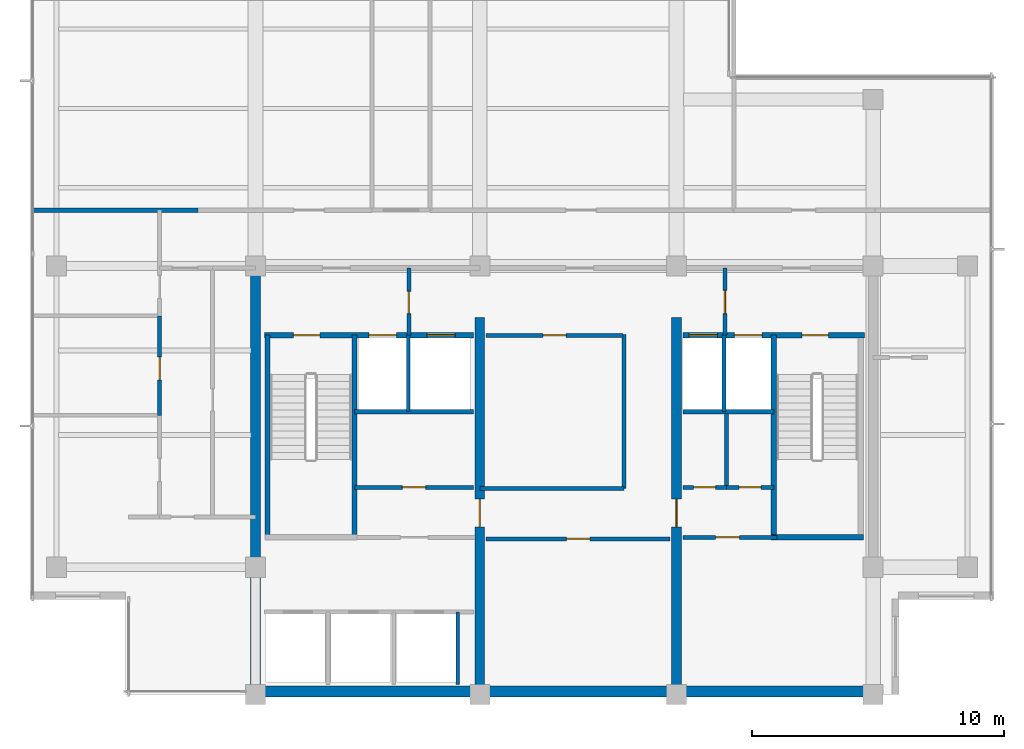
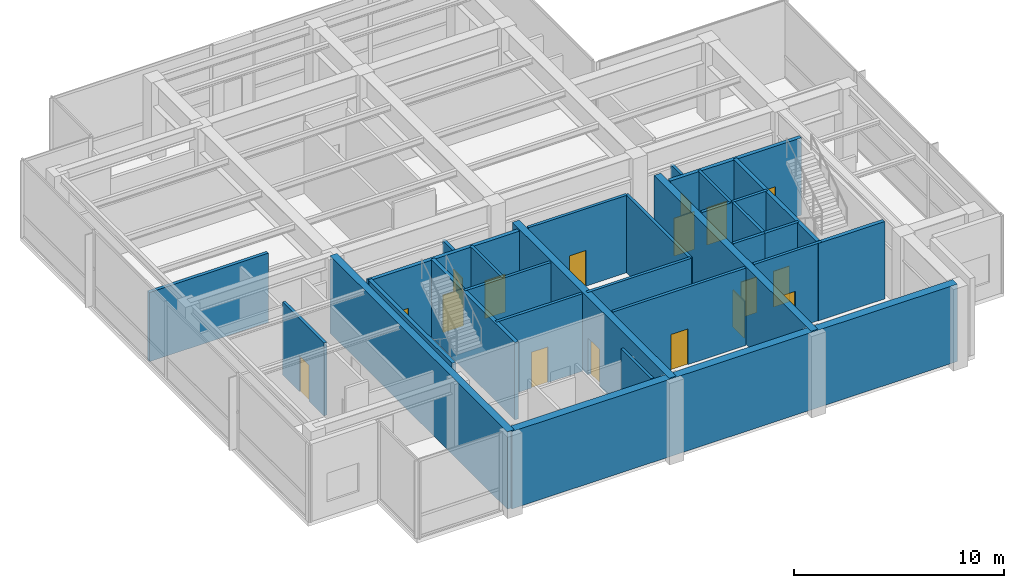
# One storey, part 6 of 11: 28 walls, 17 doors, 17 openings.
"""IFC4 building model written with IfcOpenShell, lengths in metres."""

from ifc_helpers import new_model, si_unit, direction, frame, frame_2d, origin, place, context, subcontext, project, spatial, rectangle, extrude, material, layer, layer_set, type_object, element, fill, save


model = new_model("IFC4")

# Units and contexts
model_context = context("Model", 3, precision=1e-05, world=origin(), true_north=direction((0.0, 1.0)))
body_context = subcontext(model_context, "Body", "Model", "MODEL_VIEW")
ifc_project = project(units=[si_unit("LENGTHUNIT", "METRE"), si_unit("AREAUNIT", "SQUARE_METRE"), si_unit("VOLUMEUNIT", "CUBIC_METRE"), si_unit("PLANEANGLEUNIT", "RADIAN"), si_unit("MASSUNIT", "GRAM", prefix="KILO")], contexts=[model_context])

# Site, building, storey
site_placement = place(None, origin())
site = spatial("IfcSite", under=ifc_project, at=site_placement, CompositionType="ELEMENT")
building_placement = place(site_placement, origin())
building = spatial("IfcBuilding", under=site, at=building_placement, Name="Qalmaran Belvedere Hotel", CompositionType="ELEMENT")
storey_placement = place(building_placement, frame((0.0, 0.0, 293.89990234375)))
storey = spatial("IfcBuildingStorey", under=building, at=storey_placement, Name="L76", CompositionType="ELEMENT", Elevation=293.89990234375)

# Wall
ifc_material_1 = material(Name="Concrete C50/60", Category="concrete")
ifc_layer_1 = layer(ifc_material_1, 0.3798828125, Name="Concrete C50/60")
ifc_layer_set_1 = layer_set([ifc_layer_1], Name="Concrete C50/60")
wall_type_1 = type_object("IfcWallType", Name="WL-CORE-380-C50", PredefinedType="SHEAR", material=ifc_layer_set_1)
wall_1_placement = place(storey_placement, frame((20.300048828125, 3.5, 0.0), z_axis=(0.0, 0.0, 1.0), x_axis=(0.0, 1.0, 0.0)))
element("IfcWall", 1, at=wall_1_placement, inside=storey, type_object=wall_type_1, Name="L76 West Core Shear Wall", PredefinedType="SHEAR", context=body_context, shape_type="SweptSolid", body=[
    extrude(rectangle(XDim=16.89990234375, YDim=0.3798828125, at=frame_2d((8.449951171875, 0.0))), origin(), (0.0, 0.0, 1.0), 4.5),
])

# Wall, opening, door
wall_2_placement = place(storey_placement, frame((29.199951171875, 3.5, 0.0), z_axis=(0.0, 0.0, 1.0), x_axis=(0.0, 1.0, 0.0)))
wall_2 = element("IfcWall", 2, at=wall_2_placement, inside=storey, type_object=wall_type_1, Name="L76 Core West Spine Shear Wall", PredefinedType="SHEAR", context=body_context, shape_type="SweptSolid", body=[
    extrude(rectangle(XDim=14.949951171875, YDim=0.3798828125, at=frame_2d((7.47509765625, 0.0))), origin(), (0.0, 0.0, 1.0), 4.5),
])
opening_1_placement = place(wall_2_placement, frame((7.75, 0.0, 0.0), z_axis=(0.0, 0.0, 1.0), x_axis=(-1.0, 0.0, 0.0)))
opening_1 = element("IfcOpeningElement", 3, at=opening_1_placement, cuts=wall_2, Name="Opening FD90", PredefinedType="OPENING", context=body_context, shape_type="SweptSolid", body=[
    extrude(rectangle(XDim=1.10009765625, YDim=2.14990234375, at=frame_2d((0.550048828125, 1.074951171875))), frame((0.0, 0.199951171875, 0.0), z_axis=(0.0, -1.0, 0.0), x_axis=(1.0, 0.0, 0.0)), (0.0, 0.0, 1.0), 0.39990234375),
])
ifc_material_2 = material(Name="Steel S355JR", Category="steel")
door_type_1 = type_object("IfcDoorType", Name="DR-FD90-1100X2150", OperationType="NOTDEFINED", PredefinedType="DOOR", material=ifc_material_2)
door_1_placement = place(opening_1_placement, origin())
door_1 = element("IfcDoor", 4, at=door_1_placement, inside=storey, type_object=door_type_1, Name="L76 Core West Cross-Lobby Door", OperationType="SINGLE_SWING_LEFT", OverallHeight=2.14990234375, OverallWidth=1.10009765625, PredefinedType="DOOR", context=body_context, shape_type="SweptSolid", body=[
    extrude(rectangle(XDim=1.10009765625, YDim=2.14990234375, at=frame_2d((0.550048828125, 1.074951171875))), frame((0.0, 0.02490234375, 0.0), z_axis=(0.0, -1.0, 0.0), x_axis=(1.0, 0.0, 0.0)), (0.0, 0.0, 1.0), 0.050048828125),
])
fill(opening_1, door_1)

wall_3_placement = place(storey_placement, frame((37.0, 3.5, 0.0), z_axis=(0.0, 0.0, 1.0), x_axis=(0.0, 1.0, 0.0)))
wall_3 = element("IfcWall", 5, at=wall_3_placement, inside=storey, type_object=wall_type_1, Name="L76 Core East Spine Shear Wall", PredefinedType="SHEAR", context=body_context, shape_type="SweptSolid", body=[
    extrude(rectangle(XDim=14.949951171875, YDim=0.3798828125, at=frame_2d((7.47509765625, 0.0))), origin(), (0.0, 0.0, 1.0), 4.5),
])
opening_2_placement = place(wall_3_placement, frame((6.64990234375, 0.0, 0.0)))
opening_2 = element("IfcOpeningElement", 6, at=opening_2_placement, cuts=wall_3, Name="Opening FD90", PredefinedType="OPENING", context=body_context, shape_type="SweptSolid", body=[
    extrude(rectangle(XDim=1.10009765625, YDim=2.14990234375, at=frame_2d((0.550048828125, 1.074951171875))), frame((0.0, 0.199951171875, 0.0), z_axis=(0.0, -1.0, 0.0), x_axis=(1.0, 0.0, 0.0)), (0.0, 0.0, 1.0), 0.39990234375),
])
door_2_placement = place(opening_2_placement, origin())
door_2 = element("IfcDoor", 7, at=door_2_placement, inside=storey, type_object=door_type_1, Name="L76 Core East Cross-Lobby Door", OperationType="SINGLE_SWING_RIGHT", OverallHeight=2.14990234375, OverallWidth=1.10009765625, PredefinedType="DOOR", context=body_context, shape_type="SweptSolid", body=[
    extrude(rectangle(XDim=1.10009765625, YDim=2.14990234375, at=frame_2d((0.550048828125, 1.074951171875))), frame((0.0, 0.02490234375, 0.0), z_axis=(0.0, -1.0, 0.0), x_axis=(1.0, 0.0, 0.0)), (0.0, 0.0, 1.0), 0.050048828125),
])
fill(opening_2, door_2)

# Walls
ifc_layer_2 = layer(ifc_material_1, 0.43994140625, Name="Concrete C50/60")
ifc_layer_set_2 = layer_set([ifc_layer_2], Name="Concrete C50/60")
wall_type_2 = type_object("IfcWallType", Name="WL-CORES-440-EXT", PredefinedType="SHEAR", material=ifc_layer_set_2)
wall_4_placement = place(storey_placement, frame((20.300048828125, 3.6298828125, 0.0), z_axis=(0.0, 0.0, 1.0), x_axis=(1.0, 0.0, 0.0)))
element("IfcWall", 8, at=wall_4_placement, inside=storey, type_object=wall_type_2, Name="L76 South Core Shear Wall", PredefinedType="SHEAR", context=body_context, shape_type="SweptSolid", body=[
    extrude(rectangle(XDim=24.5, YDim=0.43994140625, at=frame_2d((12.25, 0.0))), origin(), (0.0, 0.0, 1.0), 4.5),
])
ifc_material_3 = material(Name="Gypsum Stud Partition")
ifc_layer_3 = layer(ifc_material_3, 0.14990234375, Name="Gypsum Stud Partition")
ifc_layer_set_3 = layer_set([ifc_layer_3], Name="Gypsum Stud Partition")
wall_type_3 = type_object("IfcWallType", Name="WL-INT-150-EI120", PredefinedType="PARTITIONING", material=ifc_layer_set_3)
for number, where, z_axis, x_axis, name in (
    (9, (26.360107421875, 14.719970703125, 0.0), (0.0, 0.0, 1.0), (0.0, 1.0, 0.0), "L76 Partition WL-FF1M-L76"),
    (10, (38.8798828125, 14.719970703125, 0.0), (0.0, 0.0, 1.0), (0.0, 1.0, 0.0), "L76 Partition WL-FF2M-L76"),
):
    element("IfcWall", number, at=place(storey_placement, frame(where, z_axis=z_axis, x_axis=x_axis)), inside=storey, type_object=wall_type_3, Name=name, PredefinedType="PARTITIONING", context=body_context, shape_type="SweptSolid", body=[
        extrude(rectangle(XDim=3.0400390625, YDim=0.14990234375, at=frame_2d((1.52001953125, 0.0))), origin(), (0.0, 0.0, 1.0), 4.5),
    ])
wall_5_placement = place(storey_placement, frame((28.320068359375, 3.89990234375, 0.0), z_axis=(0.0, 0.0, 1.0), x_axis=(0.0, 1.0, 0.0)))
element("IfcWall", 11, at=wall_5_placement, inside=storey, type_object=wall_type_3, Name="L76 Partition WL-POM3-L76", PredefinedType="PARTITIONING", context=body_context, shape_type="SweptSolid", body=[
    extrude(rectangle(XDim=2.880126953125, YDim=0.14990234375, at=frame_2d((1.43994140625, 0.0))), origin(), (0.0, 0.0, 1.0), 4.5),
])
ifc_layer_4 = layer(ifc_material_3, 0.14990234375, Name="Gypsum Stud Partition")
ifc_layer_set_4 = layer_set([ifc_layer_4], Name="Gypsum Stud Partition")
wall_type_4 = type_object("IfcWallType", Name="WL-INT-150-EI60", PredefinedType="PARTITIONING", material=ifc_layer_set_4)
wall_6_placement = place(storey_placement, frame((38.98291015625, 11.719970703125, 0.0), z_axis=(0.0, 0.0, 1.0), x_axis=(0.0, 1.0, 0.0)))
element("IfcWall", 12, at=wall_6_placement, inside=storey, type_object=wall_type_4, Name="L76 Partition WL-L76-KEV1", PredefinedType="PARTITIONING", context=body_context, shape_type="SweptSolid", body=[
    extrude(rectangle(XDim=2.929931640625, YDim=0.14990234375, at=frame_2d((1.46484375, 0.0))), origin(), (0.0, 0.0, 1.0), 4.5),
])

# Wall, opening, door
ifc_layer_5 = layer(ifc_material_3, 0.159912109375, Name="Gypsum Stud Partition")
ifc_layer_set_5 = layer_set([ifc_layer_5], Name="Gypsum Stud Partition")
wall_type_5 = type_object("IfcWallType", Name="WL-INT-160-EI120", PredefinedType="PARTITIONING", material=ifc_layer_set_5)
wall_7_placement = place(storey_placement, frame((26.3798828125, 17.760009765625, 0.0), z_axis=(0.0, 0.0, 1.0), x_axis=(0.0, 1.0, 0.0)))
wall_7 = element("IfcWall", 13, at=wall_7_placement, inside=storey, type_object=wall_type_5, Name="L76 Partition WL-FFSV1-L76", PredefinedType="PARTITIONING", context=body_context, shape_type="SweptSolid", body=[
    extrude(rectangle(XDim=2.659912109375, YDim=0.159912109375, at=frame_2d((1.330078125, 0.0))), origin(), (0.0, 0.0, 1.0), 3.235107421875),
])
opening_3_placement = place(wall_7_placement, frame((0.85009765625, 0.0, 0.0)))
opening_3 = element("IfcOpeningElement", 14, at=opening_3_placement, cuts=wall_7, Name="Opening FD60B", PredefinedType="OPENING", context=body_context, shape_type="SweptSolid", body=[
    extrude(rectangle(XDim=0.8798828125, YDim=2.080078125, at=frame_2d((0.43994140625, 1.0400390625))), frame((0.0, 0.08984375, 0.0), z_axis=(0.0, -1.0, 0.0), x_axis=(1.0, 0.0, 0.0)), (0.0, 0.0, 1.0), 0.179931640625),
])
door_type_2 = type_object("IfcDoorType", Name="DR-FD60B-880X2080", OperationType="NOTDEFINED", PredefinedType="DOOR", material=ifc_material_2)
door_3_placement = place(opening_3_placement, origin())
door_3 = element("IfcDoor", 15, at=door_3_placement, inside=storey, type_object=door_type_2, Name="L76 Service Lobby West Door", OperationType="SINGLE_SWING_LEFT", OverallHeight=2.080078125, OverallWidth=0.8798828125, PredefinedType="DOOR", context=body_context, shape_type="SweptSolid", body=[
    extrude(rectangle(XDim=0.8798828125, YDim=2.080078125, at=frame_2d((0.43994140625, 1.0400390625))), frame((0.0, 0.02490234375, 0.0), z_axis=(0.0, -1.0, 0.0), x_axis=(1.0, 0.0, 0.0)), (0.0, 0.0, 1.0), 0.050048828125),
])
fill(opening_3, door_3)

wall_8_placement = place(storey_placement, frame((38.919921875, 17.760009765625, 0.0), z_axis=(0.0, 0.0, 1.0), x_axis=(0.0, 1.0, 0.0)))
wall_8 = element("IfcWall", 16, at=wall_8_placement, inside=storey, type_object=wall_type_5, Name="L76 Partition WL-FFSV2-L76", PredefinedType="PARTITIONING", context=body_context, shape_type="SweptSolid", body=[
    extrude(rectangle(XDim=2.659912109375, YDim=0.159912109375, at=frame_2d((1.330078125, 0.0))), origin(), (0.0, 0.0, 1.0), 3.235107421875),
])
opening_4_placement = place(wall_8_placement, frame((1.77001953125, 0.0, 0.0), z_axis=(0.0, 0.0, 1.0), x_axis=(-1.0, 0.0, 0.0)))
opening_4 = element("IfcOpeningElement", 17, at=opening_4_placement, cuts=wall_8, Name="Opening FD60S1", PredefinedType="OPENING", context=body_context, shape_type="SweptSolid", body=[
    extrude(rectangle(XDim=0.919921875, YDim=2.080078125, at=frame_2d((0.4599609375, 1.0400390625))), frame((0.0, 0.08984375, 0.0), z_axis=(0.0, -1.0, 0.0), x_axis=(1.0, 0.0, 0.0)), (0.0, 0.0, 1.0), 0.179931640625),
])
ifc_material_4 = material(Name="Engineered Oak Veneer")
door_type_3 = type_object("IfcDoorType", Name="DR-FD60S-920X2080", OperationType="NOTDEFINED", PredefinedType="DOOR", material=ifc_material_4)
door_4_placement = place(opening_4_placement, origin())
door_4 = element("IfcDoor", 18, at=door_4_placement, inside=storey, type_object=door_type_3, Name="L76 Service Lobby East Door", OperationType="SINGLE_SWING_RIGHT", OverallHeight=2.080078125, OverallWidth=0.919921875, PredefinedType="DOOR", context=body_context, shape_type="SweptSolid", body=[
    extrude(rectangle(XDim=0.919921875, YDim=2.080078125, at=frame_2d((0.4599609375, 1.0400390625))), frame((0.0, 0.02490234375, 0.0), z_axis=(0.0, -1.0, 0.0), x_axis=(1.0, 0.0, 0.0)), (0.0, 0.0, 1.0), 0.050048828125),
])
fill(opening_4, door_4)

# Walls
wall_9_placement = place(storey_placement, frame((24.219970703125, 14.719970703125, 0.0), z_axis=(0.0, 0.0, 1.0), x_axis=(1.0, 0.0, 0.0)))
element("IfcWall", 19, at=wall_9_placement, inside=storey, type_object=wall_type_5, Name="L76 Partition WL-FF1S-L76", PredefinedType="PARTITIONING", context=body_context, shape_type="SweptSolid", body=[
    extrude(rectangle(XDim=4.72998046875, YDim=0.159912109375, at=frame_2d((2.364990234375, 0.0))), origin(), (0.0, 0.0, 1.0), 4.5),
])
wall_10_placement = place(storey_placement, frame((37.25, 14.719970703125, 0.0), z_axis=(0.0, 0.0, 1.0), x_axis=(1.0, 0.0, 0.0)))
element("IfcWall", 20, at=wall_10_placement, inside=storey, type_object=wall_type_5, Name="L76 Partition WL-FF2S-L76", PredefinedType="PARTITIONING", context=body_context, shape_type="SweptSolid", body=[
    extrude(rectangle(XDim=3.610107421875, YDim=0.159912109375, at=frame_2d((1.80517578125, 0.0))), origin(), (0.0, 0.0, 1.0), 4.5),
])

# Wall, opening, door
ifc_layer_6 = layer(ifc_material_3, 0.159912109375, Name="Gypsum Stud Partition")
ifc_layer_set_6 = layer_set([ifc_layer_6], Name="Gypsum Stud Partition")
wall_type_6 = type_object("IfcWallType", Name="WL-INT-160-EI60", PredefinedType="PARTITIONING", material=ifc_layer_set_6)
wall_11_placement = place(storey_placement, frame((24.219970703125, 11.719970703125, 0.0), z_axis=(0.0, 0.0, 1.0), x_axis=(1.0, 0.0, 0.0)))
wall_11 = element("IfcWall", 21, at=wall_11_placement, inside=storey, type_object=wall_type_6, Name="L76 Partition WL-L76-KWE1", PredefinedType="PARTITIONING", context=body_context, shape_type="SweptSolid", body=[
    extrude(rectangle(XDim=4.72998046875, YDim=0.159912109375, at=frame_2d((2.364990234375, 0.0))), origin(), (0.0, 0.0, 1.0), 4.5),
])
opening_5_placement = place(wall_11_placement, frame((1.905029296875, 0.0, 0.0)))
opening_5 = element("IfcOpeningElement", 22, at=opening_5_placement, cuts=wall_11, Name="Opening FD60S1", PredefinedType="OPENING", context=body_context, shape_type="SweptSolid", body=[
    extrude(rectangle(XDim=0.919921875, YDim=2.080078125, at=frame_2d((0.4599609375, 1.0400390625))), frame((0.0, 0.08984375, 0.0), z_axis=(0.0, -1.0, 0.0), x_axis=(1.0, 0.0, 0.0)), (0.0, 0.0, 1.0), 0.179931640625),
])
door_5_placement = place(opening_5_placement, origin())
door_5 = element("IfcDoor", 23, at=door_5_placement, inside=storey, type_object=door_type_3, Name="L76 Electrical Distribution Room Door", OperationType="SINGLE_SWING_RIGHT", OverallHeight=2.080078125, OverallWidth=0.919921875, PredefinedType="DOOR", context=body_context, shape_type="SweptSolid", body=[
    extrude(rectangle(XDim=0.919921875, YDim=2.080078125, at=frame_2d((0.4599609375, 1.0400390625))), frame((0.0, 0.02490234375, 0.0), z_axis=(0.0, -1.0, 0.0), x_axis=(1.0, 0.0, 0.0)), (0.0, 0.0, 1.0), 0.050048828125),
])
fill(opening_5, door_5)

wall_12_placement = place(storey_placement, frame((37.25, 11.719970703125, 0.0), z_axis=(0.0, 0.0, 1.0), x_axis=(1.0, 0.0, 0.0)))
wall_12 = element("IfcWall", 24, at=wall_12_placement, inside=storey, type_object=wall_type_6, Name="L76 Partition WL-L76-KEE1", PredefinedType="PARTITIONING", context=body_context, shape_type="SweptSolid", body=[
    extrude(rectangle(XDim=1.73291015625, YDim=0.159912109375, at=frame_2d((0.866455078125, 0.0))), origin(), (0.0, 0.0, 1.0), 4.5),
])
opening_6_placement = place(wall_12_placement, frame((0.426513671875, 0.0, 0.0)))
opening_6 = element("IfcOpeningElement", 25, at=opening_6_placement, cuts=wall_12, Name="Opening FD60B", PredefinedType="OPENING", context=body_context, shape_type="SweptSolid", body=[
    extrude(rectangle(XDim=0.8798828125, YDim=2.080078125, at=frame_2d((0.43994140625, 1.0400390625))), frame((0.0, 0.08984375, 0.0), z_axis=(0.0, -1.0, 0.0), x_axis=(1.0, 0.0, 0.0)), (0.0, 0.0, 1.0), 0.179931640625),
])
door_6_placement = place(opening_6_placement, origin())
door_6 = element("IfcDoor", 26, at=door_6_placement, inside=storey, type_object=door_type_2, Name="L76 Cleaner Equipment Store Door", OperationType="SINGLE_SWING_LEFT", OverallHeight=2.080078125, OverallWidth=0.8798828125, PredefinedType="DOOR", context=body_context, shape_type="SweptSolid", body=[
    extrude(rectangle(XDim=0.8798828125, YDim=2.080078125, at=frame_2d((0.43994140625, 1.0400390625))), frame((0.0, 0.02490234375, 0.0), z_axis=(0.0, -1.0, 0.0), x_axis=(1.0, 0.0, 0.0)), (0.0, 0.0, 1.0), 0.050048828125),
])
fill(opening_6, door_6)

wall_13_placement = place(storey_placement, frame((38.98291015625, 11.719970703125, 0.0), z_axis=(0.0, 0.0, 1.0), x_axis=(1.0, 0.0, 0.0)))
wall_13 = element("IfcWall", 27, at=wall_13_placement, inside=storey, type_object=wall_type_6, Name="L76 Partition WL-L76-KEE2", PredefinedType="PARTITIONING", context=body_context, shape_type="SweptSolid", body=[
    extrude(rectangle(XDim=1.877197265625, YDim=0.159912109375, at=frame_2d((0.9384765625, 0.0))), origin(), (0.0, 0.0, 1.0), 4.5),
])
opening_7_placement = place(wall_13_placement, frame((0.49853515625, 0.0, 0.0)))
opening_7 = element("IfcOpeningElement", 28, at=opening_7_placement, cuts=wall_13, Name="Opening FD60B", PredefinedType="OPENING", context=body_context, shape_type="SweptSolid", body=[
    extrude(rectangle(XDim=0.8798828125, YDim=2.080078125, at=frame_2d((0.43994140625, 1.0400390625))), frame((0.0, 0.08984375, 0.0), z_axis=(0.0, -1.0, 0.0), x_axis=(1.0, 0.0, 0.0)), (0.0, 0.0, 1.0), 0.179931640625),
])
door_7_placement = place(opening_7_placement, origin())
door_7 = element("IfcDoor", 29, at=door_7_placement, inside=storey, type_object=door_type_2, Name="L76 Low Voltage Switch Room Door", OperationType="SINGLE_SWING_RIGHT", OverallHeight=2.080078125, OverallWidth=0.8798828125, PredefinedType="DOOR", context=body_context, shape_type="SweptSolid", body=[
    extrude(rectangle(XDim=0.8798828125, YDim=2.080078125, at=frame_2d((0.43994140625, 1.0400390625))), frame((0.0, 0.02490234375, 0.0), z_axis=(0.0, -1.0, 0.0), x_axis=(1.0, 0.0, 0.0)), (0.0, 0.0, 1.0), 0.050048828125),
])
fill(opening_7, door_7)

wall_14_placement = place(storey_placement, frame((37.25, 9.739990234375, 0.0), z_axis=(0.0, 0.0, 1.0), x_axis=(1.0, 0.0, 0.0)))
wall_14 = element("IfcWall", 30, at=wall_14_placement, inside=storey, type_object=wall_type_6, Name="L76 Partition WL-PHFR-L76", PredefinedType="PARTITIONING", context=body_context, shape_type="SweptSolid", body=[
    extrude(rectangle(XDim=3.72998046875, YDim=0.159912109375, at=frame_2d((1.864990234375, 0.0))), origin(), (0.0, 0.0, 1.0), 4.5),
])
opening_8_placement = place(wall_14_placement, frame((2.25, 0.0, 0.0), z_axis=(0.0, 0.0, 1.0), x_axis=(-1.0, 0.0, 0.0)))
opening_8 = element("IfcOpeningElement", 31, at=opening_8_placement, cuts=wall_14, Name="Opening FD60", PredefinedType="OPENING", context=body_context, shape_type="SweptSolid", body=[
    extrude(rectangle(XDim=0.949951171875, YDim=2.14990234375, at=frame_2d((0.47509765625, 1.074951171875))), frame((0.0, 0.08984375, 0.0), z_axis=(0.0, -1.0, 0.0), x_axis=(1.0, 0.0, 0.0)), (0.0, 0.0, 1.0), 0.179931640625),
])
door_type_4 = type_object("IfcDoorType", Name="DR-FD60-950X2150", OperationType="NOTDEFINED", PredefinedType="DOOR", material=ifc_material_4)
door_8_placement = place(opening_8_placement, origin())
door_8 = element("IfcDoor", 32, at=door_8_placement, inside=storey, type_object=door_type_4, Name="L76 Freed PH Room Door", OperationType="SINGLE_SWING_RIGHT", OverallHeight=2.14990234375, OverallWidth=0.949951171875, PredefinedType="DOOR", context=body_context, shape_type="SweptSolid", body=[
    extrude(rectangle(XDim=0.949951171875, YDim=2.14990234375, at=frame_2d((0.47509765625, 1.074951171875))), frame((0.0, 0.02490234375, 0.0), z_axis=(0.0, -1.0, 0.0), x_axis=(1.0, 0.0, 0.0)), (0.0, 0.0, 1.0), 0.050048828125),
])
fill(opening_8, door_8)

# Wall
wall_15_placement = place(storey_placement, frame((34.919921875, 11.679931640625, 0.0), z_axis=(0.0, 0.0, 1.0), x_axis=(0.0, 1.0, 0.0)))
element("IfcWall", 33, at=wall_15_placement, inside=storey, type_object=wall_type_6, Name="L76 Partition WL-CLLV-L76", PredefinedType="PARTITIONING", context=body_context, shape_type="SweptSolid", body=[
    extrude(rectangle(XDim=6.10009765625, YDim=0.159912109375, at=frame_2d((3.050048828125, 0.0))), origin(), (0.0, 0.0, 1.0), 4.5),
])

# Wall, opening, door
wall_16_placement = place(storey_placement, frame((29.449951171875, 9.679931640625, 0.0), z_axis=(0.0, 0.0, 1.0), x_axis=(1.0, 0.0, 0.0)))
wall_16 = element("IfcWall", 34, at=wall_16_placement, inside=storey, type_object=wall_type_6, Name="L76 Partition WL-L76-KPLE1", PredefinedType="PARTITIONING", context=body_context, shape_type="SweptSolid", body=[
    extrude(rectangle(XDim=7.300048828125, YDim=0.159912109375, at=frame_2d((3.64990234375, 0.0))), origin(), (0.0, 0.0, 1.0), 4.5),
])
opening_9_placement = place(wall_16_placement, frame((4.10986328125, 0.0, 0.0), z_axis=(0.0, 0.0, 1.0), x_axis=(-1.0, 0.0, 0.0)))
opening_9 = element("IfcOpeningElement", 35, at=opening_9_placement, cuts=wall_16, Name="Opening FD60S1", PredefinedType="OPENING", context=body_context, shape_type="SweptSolid", body=[
    extrude(rectangle(XDim=0.919921875, YDim=2.080078125, at=frame_2d((0.4599609375, 1.0400390625))), frame((0.0, 0.08984375, 0.0), z_axis=(0.0, -1.0, 0.0), x_axis=(1.0, 0.0, 0.0)), (0.0, 0.0, 1.0), 0.179931640625),
])
door_9_placement = place(opening_9_placement, origin())
door_9 = element("IfcDoor", 36, at=door_9_placement, inside=storey, type_object=door_type_3, Name="L76 Housekeeping and Linen Room Door", OperationType="SINGLE_SWING_LEFT", OverallHeight=2.080078125, OverallWidth=0.919921875, PredefinedType="DOOR", context=body_context, shape_type="SweptSolid", body=[
    extrude(rectangle(XDim=0.919921875, YDim=2.080078125, at=frame_2d((0.4599609375, 1.0400390625))), frame((0.0, 0.02490234375, 0.0), z_axis=(0.0, -1.0, 0.0), x_axis=(1.0, 0.0, 0.0)), (0.0, 0.0, 1.0), 0.050048828125),
])
fill(opening_9, door_9)

# Wall
wall_17_placement = place(storey_placement, frame((29.199951171875, 11.679931640625, 0.0), z_axis=(0.0, 0.0, 1.0), x_axis=(1.0, 0.0, 0.0)))
element("IfcWall", 37, at=wall_17_placement, inside=storey, type_object=wall_type_6, Name="L76 Partition WL-PMFS-L76", PredefinedType="PARTITIONING", context=body_context, shape_type="SweptSolid", body=[
    extrude(rectangle(XDim=5.719970703125, YDim=0.159912109375, at=frame_2d((2.85986328125, 0.0))), origin(), (0.0, 0.0, 1.0), 4.5),
])

# Wall, opening, door
wall_18_placement = place(storey_placement, frame((29.449951171875, 17.75, 0.0), z_axis=(0.0, 0.0, 1.0), x_axis=(1.0, 0.0, 0.0)))
wall_18 = element("IfcWall", 38, at=wall_18_placement, inside=storey, type_object=wall_type_6, Name="L76 Partition WL-L76-KPME1", PredefinedType="PARTITIONING", context=body_context, shape_type="SweptSolid", body=[
    extrude(rectangle(XDim=5.429931640625, YDim=0.159912109375, at=frame_2d((2.71484375, 0.0))), origin(), (0.0, 0.0, 1.0), 4.5),
])
opening_10_placement = place(wall_18_placement, frame((3.1748046875, 0.0, 0.0), z_axis=(0.0, 0.0, 1.0), x_axis=(-1.0, 0.0, 0.0)))
opening_10 = element("IfcOpeningElement", 39, at=opening_10_placement, cuts=wall_18, Name="Opening FD60S1", PredefinedType="OPENING", context=body_context, shape_type="SweptSolid", body=[
    extrude(rectangle(XDim=0.919921875, YDim=2.080078125, at=frame_2d((0.4599609375, 1.0400390625))), frame((0.0, 0.08984375, 0.0), z_axis=(0.0, -1.0, 0.0), x_axis=(1.0, 0.0, 0.0)), (0.0, 0.0, 1.0), 0.179931640625),
])
door_10_placement = place(opening_10_placement, origin())
door_10 = element("IfcDoor", 40, at=door_10_placement, inside=storey, type_object=door_type_3, Name="L76 Executive Butler Pantry Door", OperationType="SINGLE_SWING_RIGHT", OverallHeight=2.080078125, OverallWidth=0.919921875, PredefinedType="DOOR", context=body_context, shape_type="SweptSolid", body=[
    extrude(rectangle(XDim=0.919921875, YDim=2.080078125, at=frame_2d((0.4599609375, 1.0400390625))), frame((0.0, 0.02490234375, 0.0), z_axis=(0.0, -1.0, 0.0), x_axis=(1.0, 0.0, 0.0)), (0.0, 0.0, 1.0), 0.050048828125),
])
fill(opening_10, door_10)

wall_19_placement = place(storey_placement, frame((16.5, 14.580078125, 0.0), z_axis=(0.0, 0.0, 1.0), x_axis=(0.0, 1.0, 0.0)))
wall_19 = element("IfcWall", 41, at=wall_19_placement, inside=storey, type_object=wall_type_6, Name="L76 Partition WL-L76-WCC2", PredefinedType="PARTITIONING", context=body_context, shape_type="SweptSolid", body=[
    extrude(rectangle(XDim=3.93994140625, YDim=0.159912109375, at=frame_2d((1.969970703125, 0.0))), origin(), (0.0, 0.0, 1.0), 4.238037109375),
])
opening_11_placement = place(wall_19_placement, frame((1.39990234375, 0.0, 0.0)))
opening_11 = element("IfcOpeningElement", 42, at=opening_11_placement, cuts=wall_19, Name="Opening FD60S1", PredefinedType="OPENING", context=body_context, shape_type="SweptSolid", body=[
    extrude(rectangle(XDim=0.919921875, YDim=2.080078125, at=frame_2d((0.4599609375, 1.0400390625))), frame((0.0, 0.08984375, 0.0), z_axis=(0.0, -1.0, 0.0), x_axis=(1.0, 0.0, 0.0)), (0.0, 0.0, 1.0), 0.179931640625),
])
door_11_placement = place(opening_11_placement, origin())
door_11 = element("IfcDoor", 43, at=door_11_placement, inside=storey, type_object=door_type_3, Name="L76 Female WC Door", OperationType="SINGLE_SWING_LEFT", OverallHeight=2.080078125, OverallWidth=0.919921875, PredefinedType="DOOR", context=body_context, shape_type="SweptSolid", body=[
    extrude(rectangle(XDim=0.919921875, YDim=2.080078125, at=frame_2d((0.4599609375, 1.0400390625))), frame((0.0, 0.02490234375, 0.0), z_axis=(0.0, -1.0, 0.0), x_axis=(1.0, 0.0, 0.0)), (0.0, 0.0, 1.0), 0.050048828125),
])
fill(opening_11, door_11)

# Walls
ifc_layer_7 = layer(ifc_material_3, 0.179931640625, Name="Gypsum Stud Partition")
ifc_layer_set_7 = layer_set([ifc_layer_7], Name="Gypsum Stud Partition")
wall_type_7 = type_object("IfcWallType", Name="WL-INT-180-EI60", PredefinedType="PARTITIONING", material=ifc_layer_set_7)
wall_20_placement = place(storey_placement, frame((11.469970703125, 22.719970703125, 0.0), z_axis=(0.0, 0.0, 1.0), x_axis=(1.0, 0.0, 0.0)))
element("IfcWall", 44, at=wall_20_placement, inside=storey, type_object=wall_type_7, Name="L76 Partition WL-L76-WCN", PredefinedType="PARTITIONING", context=body_context, shape_type="SweptSolid", body=[
    extrude(rectangle(XDim=6.550048828125, YDim=0.179931640625, at=frame_2d((3.27490234375, 0.0))), origin(), (0.0, 0.0, 1.0), 4.022216796875),
])
ifc_layer_8 = layer(ifc_material_1, 0.2099609375, Name="Concrete C50/60")
ifc_layer_set_8 = layer_set([ifc_layer_8], Name="Concrete C50/60")
wall_type_8 = type_object("IfcWallType", Name="WL-STAIR-210-C50", PredefinedType="SHEAR", material=ifc_layer_set_8)
for number, where, z_axis, x_axis, name in (
    (45, (20.77490234375, 9.7451171875, 0.0), (0.0, 0.0, 1.0), (0.0, 1.0, 0.0), "L76 Stair ST-1 West Bearing Wall"),
    (46, (24.22509765625, 9.7451171875, 0.0), (0.0, 0.0, 1.0), (0.0, 1.0, 0.0), "L76 Stair ST-1 East Bearing Wall"),
):
    element("IfcWall", number, at=place(storey_placement, frame(where, z_axis=z_axis, x_axis=x_axis)), inside=storey, type_object=wall_type_8, Name=name, PredefinedType="SHEAR", context=body_context, shape_type="SweptSolid", body=[
        extrude(rectangle(XDim=8.009765625, YDim=0.2099609375, at=frame_2d((4.0048828125, 0.0))), origin(), (0.0, 0.0, 1.0), 4.5),
    ])

# Wall, openings, doors
wall_21_placement = place(storey_placement, frame((20.64990234375, 17.7548828125, 0.0), z_axis=(0.0, 0.0, 1.0), x_axis=(1.0, 0.0, 0.0)))
wall_21 = element("IfcWall", 47, at=wall_21_placement, inside=storey, type_object=wall_type_8, Name="L76 West Lobby and Stair ST-1 North Bearing Wall", PredefinedType="SHEAR", context=body_context, shape_type="SweptSolid", body=[
    extrude(rectangle(XDim=8.300048828125, YDim=0.2099609375, at=frame_2d((4.14990234375, 0.0))), origin(), (0.0, 0.0, 1.0), 4.5),
])
opening_12_placement = place(wall_21_placement, frame((2.199951171875, 0.0, 0.0), z_axis=(0.0, 0.0, 1.0), x_axis=(-1.0, 0.0, 0.0)))
opening_12 = element("IfcOpeningElement", 48, at=opening_12_placement, cuts=wall_21, Name="Opening FD90S2", PredefinedType="OPENING", context=body_context, shape_type="SweptSolid", body=[
    extrude(rectangle(XDim=1.050048828125, YDim=2.14990234375, at=frame_2d((0.52490234375, 1.074951171875))), frame((0.0, 0.114990234375, 0.0), z_axis=(0.0, -1.0, 0.0), x_axis=(1.0, 0.0, 0.0)), (0.0, 0.0, 1.0), 0.22998046875),
])
opening_13_placement = place(wall_21_placement, frame((4.14990234375, 0.0, 0.0)))
opening_13 = element("IfcOpeningElement", 49, at=opening_13_placement, cuts=wall_21, Name="Opening LD-FF", PredefinedType="OPENING", context=body_context, shape_type="SweptSolid", body=[
    extrude(rectangle(XDim=1.10009765625, YDim=2.179931640625, at=frame_2d((0.550048828125, 1.08984375))), frame((0.0, 0.114990234375, 0.0), z_axis=(0.0, -1.0, 0.0), x_axis=(1.0, 0.0, 0.0)), (0.0, 0.0, 1.0), 0.22998046875),
])
opening_14_placement = place(wall_21_placement, frame((6.449951171875, 0.0, 0.0)))
opening_14 = element("IfcOpeningElement", 50, at=opening_14_placement, cuts=wall_21, Name="Opening LD-SV", PredefinedType="OPENING", context=body_context, shape_type="SweptSolid", body=[
    extrude(rectangle(XDim=1.1201171875, YDim=2.199951171875, at=frame_2d((0.56005859375, 1.10009765625))), frame((0.0, 0.114990234375, 0.0), z_axis=(0.0, -1.0, 0.0), x_axis=(1.0, 0.0, 0.0)), (0.0, 0.0, 1.0), 0.22998046875),
])
door_type_5 = type_object("IfcDoorType", Name="DR-FD90S-1050X2150", OperationType="NOTDEFINED", PredefinedType="DOOR", material=ifc_material_2)
door_12_placement = place(opening_12_placement, origin())
door_12 = element("IfcDoor", 51, at=door_12_placement, inside=storey, type_object=door_type_5, Name="L76 Stair ST-1 Door", OperationType="SINGLE_SWING_LEFT", OverallHeight=2.14990234375, OverallWidth=1.050048828125, PredefinedType="DOOR", context=body_context, shape_type="SweptSolid", body=[
    extrude(rectangle(XDim=1.050048828125, YDim=2.14990234375, at=frame_2d((0.52490234375, 1.074951171875))), frame((0.0, 0.02490234375, 0.0), z_axis=(0.0, -1.0, 0.0), x_axis=(1.0, 0.0, 0.0)), (0.0, 0.0, 1.0), 0.050048828125),
])
fill(opening_12, door_12)
ifc_material_5 = material(Name="Stainless Steel 1.4401", Category="steel")
door_type_6 = type_object("IfcDoorType", Name="DR-LIFT-FF-1100X2180", OperationType="DOUBLE_DOOR_SLIDING", PredefinedType="DOOR", material=ifc_material_5)
door_13_placement = place(opening_13_placement, origin())
door_13 = element("IfcDoor", 52, at=door_13_placement, inside=storey, type_object=door_type_6, Name="L76 FF1 Lift Landing Door", OperationType="DOUBLE_DOOR_SLIDING", OverallHeight=2.179931640625, OverallWidth=1.10009765625, PredefinedType="DOOR", context=body_context, shape_type="SweptSolid", body=[
    extrude(rectangle(XDim=1.10009765625, YDim=2.179931640625, at=frame_2d((0.550048828125, 1.08984375))), frame((0.0, 0.02490234375, 0.0), z_axis=(0.0, -1.0, 0.0), x_axis=(1.0, 0.0, 0.0)), (0.0, 0.0, 1.0), 0.050048828125),
])
fill(opening_13, door_13)
door_type_7 = type_object("IfcDoorType", Name="DR-LIFT-SV-1120X2200", OperationType="DOUBLE_DOOR_SLIDING", PredefinedType="DOOR", material=ifc_material_5)
door_14_placement = place(opening_14_placement, origin())
door_14 = element("IfcDoor", 53, at=door_14_placement, inside=storey, type_object=door_type_7, Name="L76 SV1 Lift Landing Door", OperationType="DOUBLE_DOOR_SLIDING", OverallHeight=2.199951171875, OverallWidth=1.1201171875, PredefinedType="DOOR", context=body_context, shape_type="SweptSolid", body=[
    extrude(rectangle(XDim=1.1201171875, YDim=2.199951171875, at=frame_2d((0.56005859375, 1.10009765625))), frame((0.0, 0.02490234375, 0.0), z_axis=(0.0, -1.0, 0.0), x_axis=(1.0, 0.0, 0.0)), (0.0, 0.0, 1.0), 0.050048828125),
])
fill(opening_14, door_14)

# Walls
wall_22_placement = place(storey_placement, frame((40.85498046875, 9.7451171875, 0.0), z_axis=(0.0, 0.0, 1.0), x_axis=(0.0, 1.0, 0.0)))
element("IfcWall", 54, at=wall_22_placement, inside=storey, type_object=wall_type_8, Name="L76 Stair ST-2 West Bearing Wall", PredefinedType="SHEAR", context=body_context, shape_type="SweptSolid", body=[
    extrude(rectangle(XDim=8.009765625, YDim=0.2099609375, at=frame_2d((4.0048828125, 0.0))), origin(), (0.0, 0.0, 1.0), 4.5),
])
wall_23_placement = place(storey_placement, frame((40.75, 9.7451171875, 0.0), z_axis=(0.0, 0.0, 1.0), x_axis=(1.0, 0.0, 0.0)))
element("IfcWall", 55, at=wall_23_placement, inside=storey, type_object=wall_type_8, Name="L76 Stair ST-2 South Bearing Wall", PredefinedType="SHEAR", context=body_context, shape_type="SweptSolid", body=[
    extrude(rectangle(XDim=3.659912109375, YDim=0.2099609375, at=frame_2d((1.830078125, 0.0))), origin(), (0.0, 0.0, 1.0), 4.5),
])

# Wall, openings, doors
wall_24_placement = place(storey_placement, frame((37.25, 17.7548828125, 0.0), z_axis=(0.0, 0.0, 1.0), x_axis=(1.0, 0.0, 0.0)))
wall_24 = element("IfcWall", 56, at=wall_24_placement, inside=storey, type_object=wall_type_8, Name="L76 East Lobby and Stair ST-2 North Bearing Wall", PredefinedType="SHEAR", context=body_context, shape_type="SweptSolid", body=[
    extrude(rectangle(XDim=7.199951171875, YDim=0.2099609375, at=frame_2d((3.60009765625, 0.0))), origin(), (0.0, 0.0, 1.0), 4.5),
])
opening_15_placement = place(wall_24_placement, frame((0.25, 0.0, 0.0)))
opening_15 = element("IfcOpeningElement", 57, at=opening_15_placement, cuts=wall_24, Name="Opening LD-SV", PredefinedType="OPENING", context=body_context, shape_type="SweptSolid", body=[
    extrude(rectangle(XDim=1.1201171875, YDim=2.199951171875, at=frame_2d((0.56005859375, 1.10009765625))), frame((0.0, 0.114990234375, 0.0), z_axis=(0.0, -1.0, 0.0), x_axis=(1.0, 0.0, 0.0)), (0.0, 0.0, 1.0), 0.22998046875),
])
opening_16_placement = place(wall_24_placement, frame((2.050048828125, 0.0, 0.0)))
opening_16 = element("IfcOpeningElement", 58, at=opening_16_placement, cuts=wall_24, Name="Opening LD-FF", PredefinedType="OPENING", context=body_context, shape_type="SweptSolid", body=[
    extrude(rectangle(XDim=1.10009765625, YDim=2.179931640625, at=frame_2d((0.550048828125, 1.08984375))), frame((0.0, 0.114990234375, 0.0), z_axis=(0.0, -1.0, 0.0), x_axis=(1.0, 0.0, 0.0)), (0.0, 0.0, 1.0), 0.22998046875),
])
opening_17_placement = place(wall_24_placement, frame((5.780029296875, 0.0, 0.0), z_axis=(0.0, 0.0, 1.0), x_axis=(-1.0, 0.0, 0.0)))
opening_17 = element("IfcOpeningElement", 59, at=opening_17_placement, cuts=wall_24, Name="Opening FD90S2", PredefinedType="OPENING", context=body_context, shape_type="SweptSolid", body=[
    extrude(rectangle(XDim=1.050048828125, YDim=2.14990234375, at=frame_2d((0.52490234375, 1.074951171875))), frame((0.0, 0.114990234375, 0.0), z_axis=(0.0, -1.0, 0.0), x_axis=(1.0, 0.0, 0.0)), (0.0, 0.0, 1.0), 0.22998046875),
])
door_15_placement = place(opening_17_placement, origin())
door_15 = element("IfcDoor", 60, at=door_15_placement, inside=storey, type_object=door_type_5, Name="L76 Stair ST-2 Door", OperationType="SINGLE_SWING_RIGHT", OverallHeight=2.14990234375, OverallWidth=1.050048828125, PredefinedType="DOOR", context=body_context, shape_type="SweptSolid", body=[
    extrude(rectangle(XDim=1.050048828125, YDim=2.14990234375, at=frame_2d((0.52490234375, 1.074951171875))), frame((0.0, 0.02490234375, 0.0), z_axis=(0.0, -1.0, 0.0), x_axis=(1.0, 0.0, 0.0)), (0.0, 0.0, 1.0), 0.050048828125),
])
fill(opening_17, door_15)
door_16_placement = place(opening_16_placement, origin())
door_16 = element("IfcDoor", 61, at=door_16_placement, inside=storey, type_object=door_type_6, Name="L76 FF2 Lift Landing Door", OperationType="DOUBLE_DOOR_SLIDING", OverallHeight=2.179931640625, OverallWidth=1.10009765625, PredefinedType="DOOR", context=body_context, shape_type="SweptSolid", body=[
    extrude(rectangle(XDim=1.10009765625, YDim=2.179931640625, at=frame_2d((0.550048828125, 1.08984375))), frame((0.0, 0.02490234375, 0.0), z_axis=(0.0, -1.0, 0.0), x_axis=(1.0, 0.0, 0.0)), (0.0, 0.0, 1.0), 0.050048828125),
])
fill(opening_16, door_16)
door_17_placement = place(opening_15_placement, origin())
door_17 = element("IfcDoor", 62, at=door_17_placement, inside=storey, type_object=door_type_7, Name="L76 SV2 Lift Landing Door", OperationType="DOUBLE_DOOR_SLIDING", OverallHeight=2.199951171875, OverallWidth=1.1201171875, PredefinedType="DOOR", context=body_context, shape_type="SweptSolid", body=[
    extrude(rectangle(XDim=1.1201171875, YDim=2.199951171875, at=frame_2d((0.56005859375, 1.10009765625))), frame((0.0, 0.02490234375, 0.0), z_axis=(0.0, -1.0, 0.0), x_axis=(1.0, 0.0, 0.0)), (0.0, 0.0, 1.0), 0.050048828125),
])
fill(opening_15, door_17)

save(model, "model.ifc")
